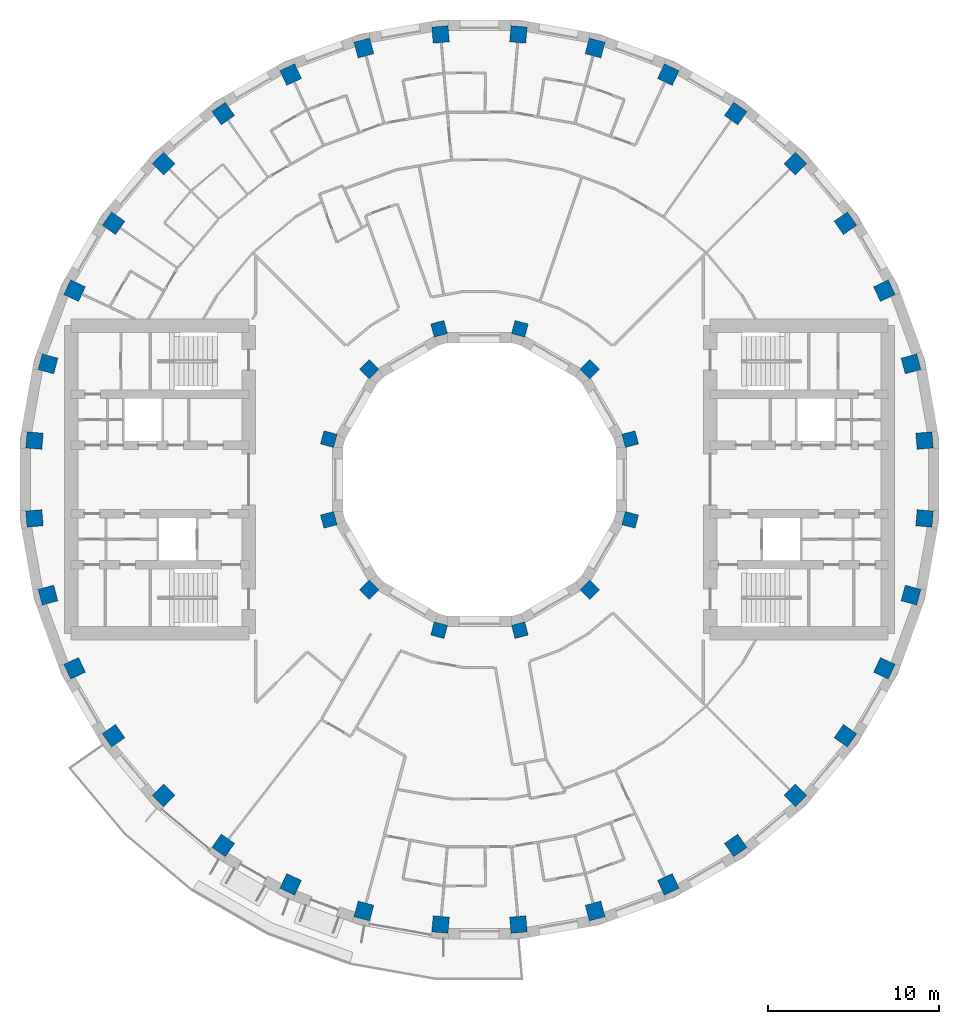
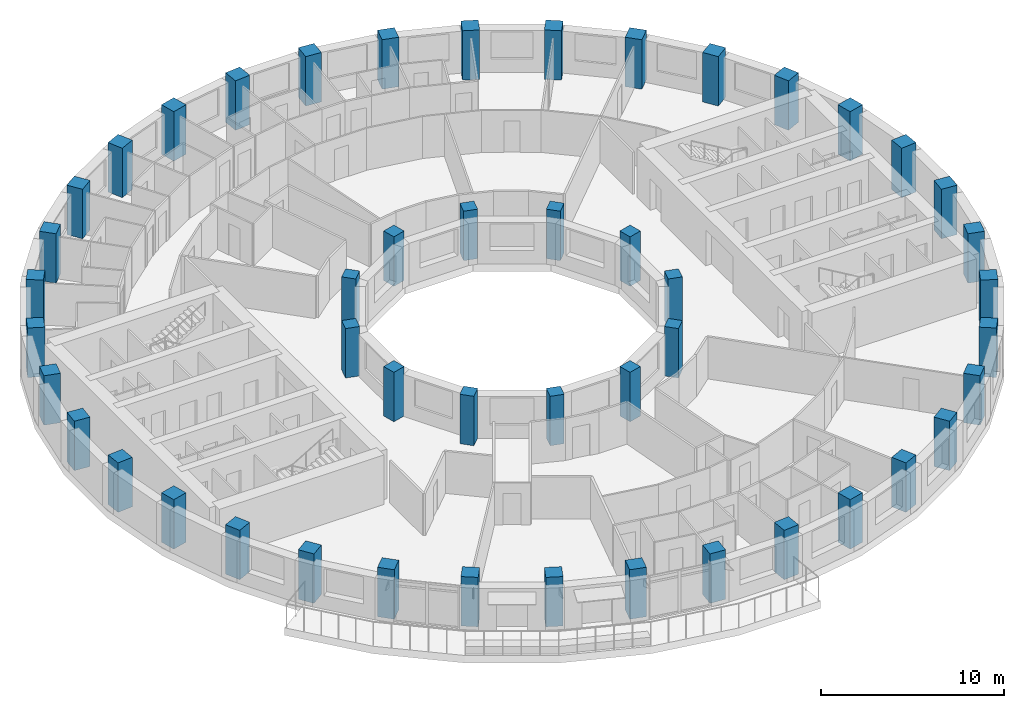
# One storey, part 1 of 14: 48 columns.
"""IFC4 building model written with IfcOpenShell, lengths in metres."""

from ifc_helpers import new_model, si_unit, direction, frame, origin, origin_2d, place, context, subcontext, project, spatial, rectangle, extrude, material, material_profile, profile_set, type_object, element, save


model = new_model("IFC4")

# Units and contexts
model_context = context("Model", 3, precision=1e-05, world=origin(), true_north=direction((0.0, 1.0)))
body_context = subcontext(model_context, "Body", "Model", "MODEL_VIEW")
ifc_project = project(units=[si_unit("LENGTHUNIT", "METRE"), si_unit("AREAUNIT", "SQUARE_METRE"), si_unit("VOLUMEUNIT", "CUBIC_METRE"), si_unit("PLANEANGLEUNIT", "RADIAN"), si_unit("MASSUNIT", "GRAM", prefix="KILO")], contexts=[model_context])

# Site, building, storey
site_placement = place(None, origin())
site = spatial("IfcSite", under=ifc_project, at=site_placement, CompositionType="ELEMENT")
building_placement = place(site_placement, origin())
building = spatial("IfcBuilding", under=site, at=building_placement, Name="Saqina Gate Tower", CompositionType="ELEMENT")
storey_placement = place(building_placement, frame((0.0, 0.0, 134.800048828125)))
storey = spatial("IfcBuildingStorey", under=building, at=storey_placement, Name="L38", CompositionType="ELEMENT", Elevation=134.800048828125)

# Columns
ifc_material_1 = material(Name="Concrete C70/85", Category="concrete")
ifc_material_profile_1 = material_profile(ifc_material_1, rectangle(XDim=0.800048828125, YDim=0.800048828125, at=origin_2d()), Name="RC 800x800")
ifc_profile_set_1 = profile_set([ifc_material_profile_1], Name="Concrete C70/85")
column_type_1 = type_object("IfcColumnType", Name="STR-COL-IN-B", PredefinedType="COLUMN", material=ifc_profile_set_1)
for number, where, z_axis, x_axis, name in (
    (1, (8.821044921875, 2.363525390625, 0.0), (0.0, 0.0, 1.0), (0.965925826289, 0.258819045103, 0.0), "L38-ICL01"),
    (2, (6.45751953125, 6.45751953125, 0.0), (0.0, 0.0, 1.0), (0.707106781187, 0.707106781187, 0.0), "L38-ICL02"),
    (3, (2.363525390625, 8.821044921875, 0.0), (0.0, 0.0, 1.0), (0.258819045103, 0.965925826289, 0.0), "L38-ICL03"),
    (4, (-2.363525390625, 8.821044921875, 0.0), (0.0, 0.0, 1.0), (-0.258819045103, 0.965925826289, 0.0), "L38-ICL04"),
    (5, (-6.45751953125, 6.45751953125, 0.0), (0.0, 0.0, 1.0), (-0.707106781187, 0.707106781187, 0.0), "L38-ICL05"),
    (6, (-8.821044921875, 2.363525390625, 0.0), (0.0, 0.0, 1.0), (-0.965925826289, 0.258819045103, 0.0), "L38-ICL06"),
    (7, (-8.821044921875, -2.363525390625, 0.0), (0.0, 0.0, 1.0), (-0.965925826289, -0.258819045103, 0.0), "L38-ICL07"),
    (8, (-6.45751953125, -6.45751953125, 0.0), (0.0, 0.0, 1.0), (-0.707106781187, -0.707106781187, 0.0), "L38-ICL08"),
    (9, (-2.363525390625, -8.821044921875, 0.0), (0.0, 0.0, 1.0), (-0.258819045103, -0.965925826289, 0.0), "L38-ICL09"),
    (10, (2.363525390625, -8.821044921875, 0.0), (0.0, 0.0, 1.0), (0.258819045103, -0.965925826289, 0.0), "L38-ICL10"),
    (11, (6.45751953125, -6.45751953125, 0.0), (0.0, 0.0, 1.0), (0.707106781187, -0.707106781187, 0.0), "L38-ICL11"),
    (12, (8.821044921875, -2.363525390625, 0.0), (0.0, 0.0, 1.0), (0.965925826289, -0.258819045103, 0.0), "L38-ICL12"),
):
    element("IfcColumn", number, at=place(storey_placement, frame(where, z_axis=z_axis, x_axis=x_axis)), inside=storey, type_object=column_type_1, Name=name, PredefinedType="COLUMN", context=body_context, shape_type="SweptSolid", body=[
        extrude(rectangle(XDim=0.800048828125, YDim=0.800048828125, at=origin_2d()), origin(), (0.0, 0.0, 1.0), 3.300048828125),
    ])
ifc_material_2 = material(Name="Concrete C70/85", Category="concrete")
ifc_material_profile_2 = material_profile(ifc_material_2, rectangle(XDim=0.949951171875, YDim=0.949951171875, at=origin_2d()), Name="RC 950x950")
ifc_profile_set_2 = profile_set([ifc_material_profile_2], Name="Concrete C70/85")
column_type_2 = type_object("IfcColumnType", Name="STR-COL-OUT-B", PredefinedType="COLUMN", material=ifc_profile_set_2)
for number, where, z_axis, x_axis, name in (
    (13, (26.050537109375, 2.279052734375, 0.0), (0.0, 0.0, 1.0), (0.996194698092, 0.087155742748, 0.0), "L38-COL01"),
    (14, (25.259033203125, 6.76806640625, 0.0), (0.0, 0.0, 1.0), (0.965925826289, 0.258819045103, 0.0), "L38-COL02"),
    (15, (23.699951171875, 11.051513671875, 0.0), (0.0, 0.0, 1.0), (0.906307787037, 0.422618261741, 0.0), "L38-COL03"),
    (16, (21.4208984375, 14.9990234375, 0.0), (0.0, 0.0, 1.0), (0.819152044289, 0.573576436351, 0.0), "L38-COL04"),
    (17, (18.49072265625, 18.49072265625, 0.0), (0.0, 0.0, 1.0), (0.707106781187, 0.707106781187, 0.0), "L38-COL05"),
    (18, (14.9990234375, 21.4208984375, 0.0), (0.0, 0.0, 1.0), (0.573576436351, 0.819152044289, 0.0), "L38-COL06"),
    (19, (11.051513671875, 23.699951171875, 0.0), (0.0, 0.0, 1.0), (0.422618261741, 0.906307787037, 0.0), "L38-COL07"),
    (20, (6.76806640625, 25.259033203125, 0.0), (0.0, 0.0, 1.0), (0.258819045103, 0.965925826289, 0.0), "L38-COL08"),
    (21, (2.279052734375, 26.050537109375, 0.0), (0.0, 0.0, 1.0), (0.087155742748, 0.996194698092, 0.0), "L38-COL09"),
    (22, (-2.279052734375, 26.050537109375, 0.0), (0.0, 0.0, 1.0), (-0.087155742748, 0.996194698092, 0.0), "L38-COL10"),
    (23, (-6.76806640625, 25.259033203125, 0.0), (0.0, 0.0, 1.0), (-0.258819045103, 0.965925826289, 0.0), "L38-COL11"),
    (24, (-11.051513671875, 23.699951171875, 0.0), (0.0, 0.0, 1.0), (-0.422618261741, 0.906307787037, 0.0), "L38-COL12"),
    (25, (-14.9990234375, 21.4208984375, 0.0), (0.0, 0.0, 1.0), (-0.573576436351, 0.819152044289, 0.0), "L38-COL13"),
    (26, (-18.49072265625, 18.49072265625, 0.0), (0.0, 0.0, 1.0), (-0.707106781187, 0.707106781187, 0.0), "L38-COL14"),
    (27, (-21.4208984375, 14.9990234375, 0.0), (0.0, 0.0, 1.0), (-0.819152044289, 0.573576436351, 0.0), "L38-COL15"),
    (28, (-23.699951171875, 11.051513671875, 0.0), (0.0, 0.0, 1.0), (-0.906307787037, 0.422618261741, 0.0), "L38-COL16"),
    (29, (-25.259033203125, 6.76806640625, 0.0), (0.0, 0.0, 1.0), (-0.965925826289, 0.258819045103, 0.0), "L38-COL17"),
    (30, (-26.050537109375, 2.279052734375, 0.0), (0.0, 0.0, 1.0), (-0.996194698092, 0.087155742748, 0.0), "L38-COL18"),
    (31, (-26.050537109375, -2.279052734375, 0.0), (0.0, 0.0, 1.0), (-0.996194698092, -0.087155742748, 0.0), "L38-COL19"),
    (32, (-25.259033203125, -6.76806640625, 0.0), (0.0, 0.0, 1.0), (-0.965925826289, -0.258819045103, 0.0), "L38-COL20"),
    (33, (-23.699951171875, -11.051513671875, 0.0), (0.0, 0.0, 1.0), (-0.906307787037, -0.422618261741, 0.0), "L38-COL21"),
    (34, (-21.4208984375, -14.9990234375, 0.0), (0.0, 0.0, 1.0), (-0.819152044289, -0.573576436351, 0.0), "L38-COL22"),
    (35, (-18.49072265625, -18.49072265625, 0.0), (0.0, 0.0, 1.0), (-0.707106781187, -0.707106781187, 0.0), "L38-COL23"),
    (36, (-14.9990234375, -21.4208984375, 0.0), (0.0, 0.0, 1.0), (-0.573576436351, -0.819152044289, 0.0), "L38-COL24"),
    (37, (-11.051513671875, -23.699951171875, 0.0), (0.0, 0.0, 1.0), (-0.422618261741, -0.906307787037, 0.0), "L38-COL25"),
    (38, (-6.76806640625, -25.259033203125, 0.0), (0.0, 0.0, 1.0), (-0.258819045103, -0.965925826289, 0.0), "L38-COL26"),
    (39, (-2.279052734375, -26.050537109375, 0.0), (0.0, 0.0, 1.0), (-0.087155742748, -0.996194698092, 0.0), "L38-COL27"),
    (40, (2.279052734375, -26.050537109375, 0.0), (0.0, 0.0, 1.0), (0.087155742748, -0.996194698092, 0.0), "L38-COL28"),
    (41, (6.76806640625, -25.259033203125, 0.0), (0.0, 0.0, 1.0), (0.258819045103, -0.965925826289, 0.0), "L38-COL29"),
    (42, (11.051513671875, -23.699951171875, 0.0), (0.0, 0.0, 1.0), (0.422618261741, -0.906307787037, 0.0), "L38-COL30"),
    (43, (14.9990234375, -21.4208984375, 0.0), (0.0, 0.0, 1.0), (0.573576436351, -0.819152044289, 0.0), "L38-COL31"),
    (44, (18.49072265625, -18.49072265625, 0.0), (0.0, 0.0, 1.0), (0.707106781187, -0.707106781187, 0.0), "L38-COL32"),
    (45, (21.4208984375, -14.9990234375, 0.0), (0.0, 0.0, 1.0), (0.819152044289, -0.573576436351, 0.0), "L38-COL33"),
    (46, (23.699951171875, -11.051513671875, 0.0), (0.0, 0.0, 1.0), (0.906307787037, -0.422618261741, 0.0), "L38-COL34"),
    (47, (25.259033203125, -6.76806640625, 0.0), (0.0, 0.0, 1.0), (0.965925826289, -0.258819045103, 0.0), "L38-COL35"),
    (48, (26.050537109375, -2.279052734375, 0.0), (0.0, 0.0, 1.0), (0.996194698092, -0.087155742748, 0.0), "L38-COL36"),
):
    element("IfcColumn", number, at=place(storey_placement, frame(where, z_axis=z_axis, x_axis=x_axis)), inside=storey, type_object=column_type_2, Name=name, PredefinedType="COLUMN", context=body_context, shape_type="SweptSolid", body=[
        extrude(rectangle(XDim=0.949951171875, YDim=0.949951171875, at=origin_2d()), origin(), (0.0, 0.0, 1.0), 3.300048828125),
    ])

save(model, "model.ifc")
